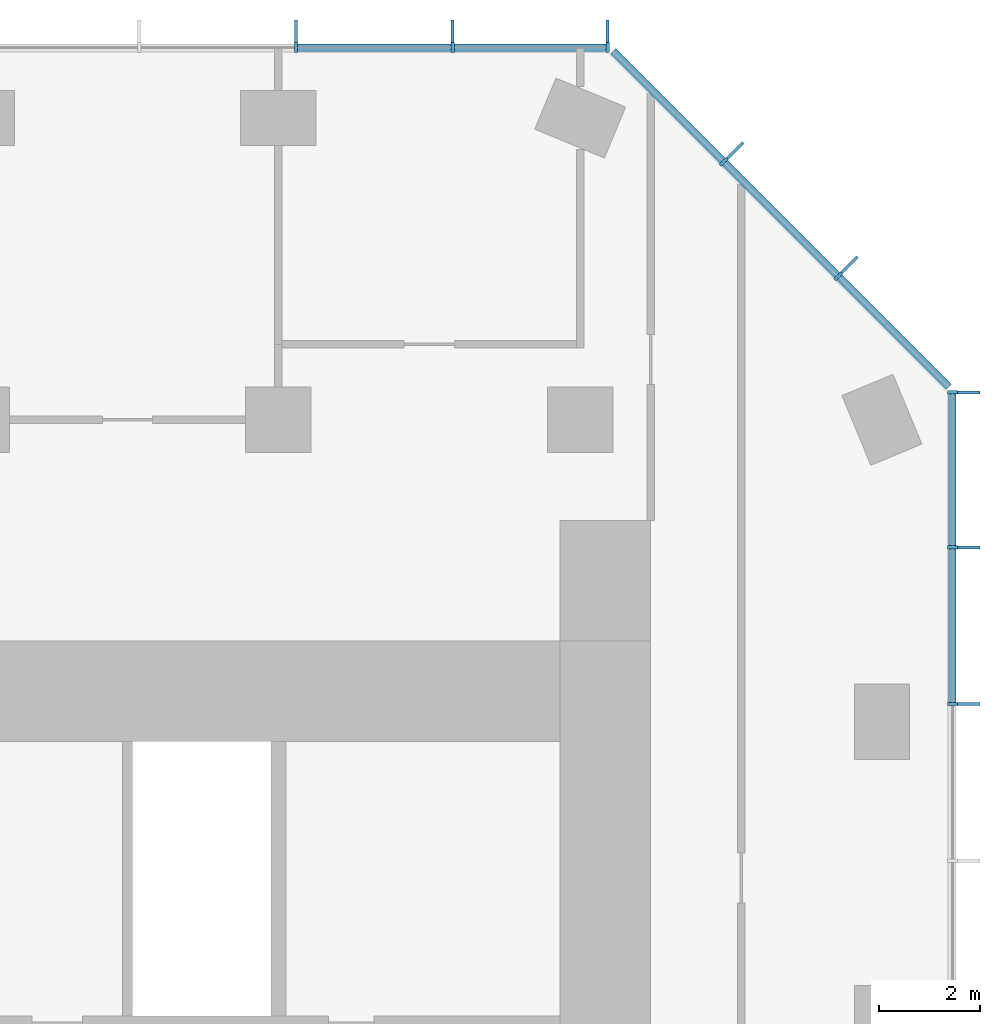
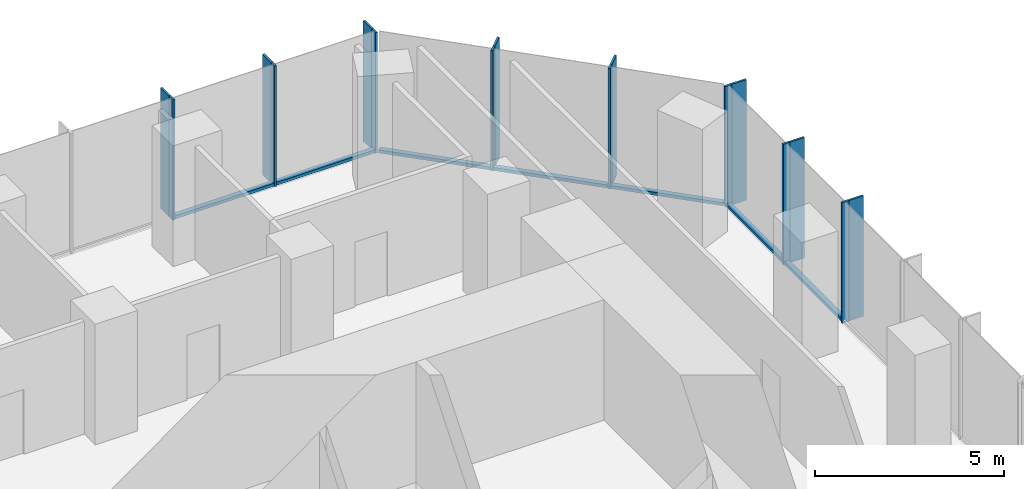
# One storey, part 6 of 11: 23 members, 3 elements without a shape of their own.
"""IFC4 building model written with IfcOpenShell, lengths in metres."""

from ifc_helpers import new_model, si_unit, direction, frame, origin, origin_2d, place, context, subcontext, project, spatial, rectangle, extrude, material, layer, layer_set, material_profile, profile_set, type_object, element, aggregate, save


model = new_model("IFC4")

# Units and contexts
model_context = context("Model", 3, precision=1e-05, world=origin(), true_north=direction((0.0, 1.0)))
body_context = subcontext(model_context, "Body", "Model", "MODEL_VIEW")
ifc_project = project(units=[si_unit("LENGTHUNIT", "METRE"), si_unit("AREAUNIT", "SQUARE_METRE"), si_unit("VOLUMEUNIT", "CUBIC_METRE"), si_unit("PLANEANGLEUNIT", "RADIAN"), si_unit("MASSUNIT", "GRAM", prefix="KILO")], contexts=[model_context])

# Site, building, storey
site_placement = place(None, origin())
site = spatial("IfcSite", under=ifc_project, at=site_placement, CompositionType="ELEMENT")
building_placement = place(site_placement, origin())
building = spatial("IfcBuilding", under=site, at=building_placement, Name="Highveld Stack Headquarters", CompositionType="ELEMENT")
storey_placement = place(building_placement, frame((0.0, 0.0, 220.10009765625)))
storey = spatial("IfcBuildingStorey", under=building, at=storey_placement, Name="L54", CompositionType="ELEMENT", Elevation=220.10009765625)

# Curtain wall, members
ifc_material_1 = material(Name="Aluminium bronze anodised", Category="aluminium")
ifc_layer_1 = layer(ifc_material_1, 0.199951171875)
ifc_layer_set_1 = layer_set([ifc_layer_1], Name="Aluminium bronze anodised")
curtain_wall_type_1 = type_object("IfcCurtainWallType", Name="CW1 TOWER UNITISED CURTAIN WALL", PredefinedType="NOTDEFINED", material=ifc_layer_set_1)
curtain_wall_1_placement = place(storey_placement, origin())
curtain_wall_1 = element("IfcCurtainWall", 1, at=curtain_wall_1_placement, inside=storey, type_object=curtain_wall_type_1, Name="Curtain wall CW1 L54 E", PredefinedType="NOTDEFINED")
ifc_material_2 = material(Name="Aluminium bronze anodised", Category="aluminium")
ifc_material_profile_1 = material_profile(ifc_material_2, rectangle(XDim=0.449951171875, YDim=0.06005859375, at=origin_2d()), Name="FIN 450x60")
ifc_profile_set_1 = profile_set([ifc_material_profile_1], Name="Aluminium bronze anodised")
member_type_1 = type_object("IfcMemberType", Name="CW1 BRONZE FIN 450x60", PredefinedType="USERDEFINED", material=ifc_profile_set_1)
member_1_placement = place(storey_placement, frame((25.72509765625, 12.347900390625, 0.0), z_axis=(0.0, 0.0, 1.0), x_axis=(-1.0, 0.0, 0.0)))
member_1 = element("IfcMember", 2, at=member_1_placement, type_object=member_type_1, Name="CW1 fin L54 9", ObjectType="FIN", PredefinedType="USERDEFINED", context=body_context, shape_type="SweptSolid", body=[
    extrude(rectangle(XDim=0.449951171875, YDim=0.06005859375, at=origin_2d()), origin(), (0.0, 0.0, 1.0), 3.89990234375),
])
member_2_placement = place(storey_placement, frame((25.72509765625, 15.4638671875, 0.0), z_axis=(0.0, 0.0, 1.0), x_axis=(-1.0, 0.0, 0.0)))
member_2 = element("IfcMember", 3, at=member_2_placement, type_object=member_type_1, Name="CW1 fin L54 10", ObjectType="FIN", PredefinedType="USERDEFINED", context=body_context, shape_type="SweptSolid", body=[
    extrude(rectangle(XDim=0.449951171875, YDim=0.06005859375, at=origin_2d()), origin(), (0.0, 0.0, 1.0), 3.89990234375),
])
member_3_placement = place(storey_placement, frame((25.72509765625, 18.54736328125, 0.0), z_axis=(0.0, 0.0, 1.0), x_axis=(-1.0, 0.0, 0.0)))
member_3 = element("IfcMember", 4, at=member_3_placement, type_object=member_type_1, Name="CW1 fin L54 11", ObjectType="FIN", PredefinedType="USERDEFINED", context=body_context, shape_type="SweptSolid", body=[
    extrude(rectangle(XDim=0.449951171875, YDim=0.06005859375, at=origin_2d()), origin(), (0.0, 0.0, 1.0), 3.89990234375),
])

curtain_wall_2_placement = place(storey_placement, origin())
curtain_wall_2 = element("IfcCurtainWall", 5, at=curtain_wall_2_placement, inside=storey, type_object=curtain_wall_type_1, Name="Curtain wall CW1 L54 N", PredefinedType="NOTDEFINED")
member_4_placement = place(storey_placement, frame((18.54736328125, 25.72509765625, 0.0), z_axis=(0.0, 0.0, 1.0), x_axis=(0.0, -1.0, 0.0)))
member_4 = element("IfcMember", 6, at=member_4_placement, type_object=member_type_1, Name="CW1 fin L54 1", ObjectType="FIN", PredefinedType="USERDEFINED", context=body_context, shape_type="SweptSolid", body=[
    extrude(rectangle(XDim=0.449951171875, YDim=0.06005859375, at=origin_2d()), origin(), (0.0, 0.0, 1.0), 3.89990234375),
])
member_5_placement = place(storey_placement, frame((15.4638671875, 25.72509765625, 0.0), z_axis=(0.0, 0.0, 1.0), x_axis=(0.0, -1.0, 0.0)))
member_5 = element("IfcMember", 7, at=member_5_placement, type_object=member_type_1, Name="CW1 fin L54 2", ObjectType="FIN", PredefinedType="USERDEFINED", context=body_context, shape_type="SweptSolid", body=[
    extrude(rectangle(XDim=0.449951171875, YDim=0.06005859375, at=origin_2d()), origin(), (0.0, 0.0, 1.0), 3.89990234375),
])
member_6_placement = place(storey_placement, frame((12.347900390625, 25.72509765625, 0.0), z_axis=(0.0, 0.0, 1.0), x_axis=(0.0, -1.0, 0.0)))
member_6 = element("IfcMember", 8, at=member_6_placement, type_object=member_type_1, Name="CW1 fin L54 3", ObjectType="FIN", PredefinedType="USERDEFINED", context=body_context, shape_type="SweptSolid", body=[
    extrude(rectangle(XDim=0.449951171875, YDim=0.06005859375, at=origin_2d()), origin(), (0.0, 0.0, 1.0), 3.89990234375),
])

# Member
ifc_material_3 = material(Name="Aluminium bronze anodised", Category="aluminium")
ifc_material_profile_2 = material_profile(ifc_material_3, rectangle(XDim=0.199951171875, YDim=0.06494140625, at=origin_2d()), Name="CW1 MULLION 65x200")
ifc_profile_set_2 = profile_set([ifc_material_profile_2], Name="Aluminium bronze anodised")
member_type_2 = type_object("IfcMemberType", Name="CW1 MULLION 65x200", PredefinedType="MULLION", material=ifc_profile_set_2)
member_7_placement = place(storey_placement, frame((25.39990234375, 12.347900390625, 0.0), z_axis=(0.0, 0.0, 1.0), x_axis=(-1.0, 0.0, 0.0)))
member_7 = element("IfcMember", 9, at=member_7_placement, type_object=member_type_2, Name="CW1 mullion L54 9", PredefinedType="MULLION", context=body_context, shape_type="SweptSolid", body=[
    extrude(rectangle(XDim=0.199951171875, YDim=0.06494140625, at=origin_2d()), origin(), (0.0, 0.0, 1.0), 3.89990234375),
])

member_8_placement = place(storey_placement, frame((25.39990234375, 15.4638671875, 0.0), z_axis=(0.0, 0.0, 1.0), x_axis=(-1.0, 0.0, 0.0)))
member_8 = element("IfcMember", 10, at=member_8_placement, type_object=member_type_2, Name="CW1 mullion L54 10", PredefinedType="MULLION", context=body_context, shape_type="SweptSolid", body=[
    extrude(rectangle(XDim=0.199951171875, YDim=0.06494140625, at=origin_2d()), origin(), (0.0, 0.0, 1.0), 3.89990234375),
])

member_9_placement = place(storey_placement, frame((25.39990234375, 18.54736328125, 0.0), z_axis=(0.0, 0.0, 1.0), x_axis=(-1.0, 0.0, 0.0)))
member_9 = element("IfcMember", 11, at=member_9_placement, type_object=member_type_2, Name="CW1 mullion L54 11", PredefinedType="MULLION", context=body_context, shape_type="SweptSolid", body=[
    extrude(rectangle(XDim=0.199951171875, YDim=0.06494140625, at=origin_2d()), origin(), (0.0, 0.0, 1.0), 3.89990234375),
])

member_10_placement = place(storey_placement, frame((18.54736328125, 25.39990234375, 0.0), z_axis=(0.0, 0.0, 1.0), x_axis=(0.0, -1.0, 0.0)))
member_10 = element("IfcMember", 12, at=member_10_placement, type_object=member_type_2, Name="CW1 mullion L54 1", PredefinedType="MULLION", context=body_context, shape_type="SweptSolid", body=[
    extrude(rectangle(XDim=0.199951171875, YDim=0.06494140625, at=origin_2d()), origin(), (0.0, 0.0, 1.0), 3.89990234375),
])

member_11_placement = place(storey_placement, frame((15.4638671875, 25.39990234375, 0.0), z_axis=(0.0, 0.0, 1.0), x_axis=(0.0, -1.0, 0.0)))
member_11 = element("IfcMember", 13, at=member_11_placement, type_object=member_type_2, Name="CW1 mullion L54 2", PredefinedType="MULLION", context=body_context, shape_type="SweptSolid", body=[
    extrude(rectangle(XDim=0.199951171875, YDim=0.06494140625, at=origin_2d()), origin(), (0.0, 0.0, 1.0), 3.89990234375),
])

member_12_placement = place(storey_placement, frame((12.347900390625, 25.39990234375, 0.0), z_axis=(0.0, 0.0, 1.0), x_axis=(0.0, -1.0, 0.0)))
member_12 = element("IfcMember", 14, at=member_12_placement, type_object=member_type_2, Name="CW1 mullion L54 3", PredefinedType="MULLION", context=body_context, shape_type="SweptSolid", body=[
    extrude(rectangle(XDim=0.199951171875, YDim=0.06494140625, at=origin_2d()), origin(), (0.0, 0.0, 1.0), 3.89990234375),
])

ifc_material_4 = material(Name="Aluminium bronze anodised", Category="aluminium")
ifc_material_profile_3 = material_profile(ifc_material_4, rectangle(XDim=0.14990234375, YDim=0.10009765625, at=origin_2d()), Name="CW1 TRANSOM 150x100")
ifc_profile_set_3 = profile_set([ifc_material_profile_3], Name="Aluminium bronze anodised")
member_type_3 = type_object("IfcMemberType", Name="CW1 STACK TRANSOM 150x100", PredefinedType="USERDEFINED", material=ifc_profile_set_3)
member_13_placement = place(storey_placement, frame((25.39990234375, 12.38037109375, 0.0498046875), z_axis=(0.0, 1.0, 0.0), x_axis=(-1.0, 0.0, 0.0)))
member_13 = element("IfcMember", 15, at=member_13_placement, type_object=member_type_3, Name="CW1 transom L54 9.1", ObjectType="TRANSOM", PredefinedType="USERDEFINED", context=body_context, shape_type="SweptSolid", body=[
    extrude(rectangle(XDim=0.14990234375, YDim=0.10009765625, at=origin_2d()), origin(), (0.0, 0.0, 1.0), 3.051025390625),
])

member_14_placement = place(storey_placement, frame((25.39990234375, 15.496337890625, 0.0498046875), z_axis=(0.0, 1.0, 0.0), x_axis=(-1.0, 0.0, 0.0)))
member_14 = element("IfcMember", 16, at=member_14_placement, type_object=member_type_3, Name="CW1 transom L54 10.1", ObjectType="TRANSOM", PredefinedType="USERDEFINED", context=body_context, shape_type="SweptSolid", body=[
    extrude(rectangle(XDim=0.14990234375, YDim=0.10009765625, at=origin_2d()), origin(), (0.0, 0.0, 1.0), 3.0185546875),
])

aggregate(curtain_wall_1, [member_7, member_1, member_8, member_2, member_9, member_3, member_13, member_14])

member_15_placement = place(storey_placement, frame((18.514892578125, 25.39990234375, 0.0498046875), z_axis=(-1.0, 0.0, 0.0), x_axis=(0.0, -1.0, 0.0)))
member_15 = element("IfcMember", 17, at=member_15_placement, type_object=member_type_3, Name="CW1 transom L54 1.1", ObjectType="TRANSOM", PredefinedType="USERDEFINED", context=body_context, shape_type="SweptSolid", body=[
    extrude(rectangle(XDim=0.14990234375, YDim=0.10009765625, at=origin_2d()), origin(), (0.0, 0.0, 1.0), 3.0185546875),
])

member_16_placement = place(storey_placement, frame((15.431396484375, 25.39990234375, 0.0498046875), z_axis=(-1.0, 0.0, 0.0), x_axis=(0.0, -1.0, 0.0)))
member_16 = element("IfcMember", 18, at=member_16_placement, type_object=member_type_3, Name="CW1 transom L54 2.1", ObjectType="TRANSOM", PredefinedType="USERDEFINED", context=body_context, shape_type="SweptSolid", body=[
    extrude(rectangle(XDim=0.14990234375, YDim=0.10009765625, at=origin_2d()), origin(), (0.0, 0.0, 1.0), 3.051025390625),
])

aggregate(curtain_wall_2, [member_10, member_4, member_11, member_5, member_12, member_6, member_15, member_16])

# Curtain wall, members
ifc_material_5 = material(Name="Aluminium bronze anodised", Category="aluminium")
ifc_layer_2 = layer(ifc_material_5, 0.199951171875)
ifc_layer_set_2 = layer_set([ifc_layer_2], Name="Aluminium bronze anodised")
curtain_wall_type_2 = type_object("IfcCurtainWallType", Name="CW2 TOWER CHAMFER UNITISED CURTAIN WALL", PredefinedType="NOTDEFINED", material=ifc_layer_set_2)
curtain_wall_3_placement = place(storey_placement, origin())
curtain_wall_3 = element("IfcCurtainWall", 19, at=curtain_wall_3_placement, inside=storey, type_object=curtain_wall_type_2, Name="Curtain wall CW2 L54 NE", PredefinedType="NOTDEFINED")
ifc_material_6 = material(Name="Aluminium bronze anodised", Category="aluminium")
ifc_material_profile_4 = material_profile(ifc_material_6, rectangle(XDim=0.449951171875, YDim=0.06005859375, at=origin_2d()), Name="FIN 450x60")
ifc_profile_set_4 = profile_set([ifc_material_profile_4], Name="Aluminium bronze anodised")
member_type_4 = type_object("IfcMemberType", Name="CW2 BRONZE FIN 450x60", PredefinedType="USERDEFINED", material=ifc_profile_set_4)
member_17_placement = place(storey_placement, frame((23.3564453125, 21.0830078125, 0.0), z_axis=(0.0, 0.0, 1.0), x_axis=(-0.707106781187, -0.707106781187, 0.0)))
member_17 = element("IfcMember", 20, at=member_17_placement, type_object=member_type_4, Name="CW2 fin L54 1", ObjectType="FIN", PredefinedType="USERDEFINED", context=body_context, shape_type="SweptSolid", body=[
    extrude(rectangle(XDim=0.449951171875, YDim=0.06005859375, at=origin_2d()), origin(), (0.0, 0.0, 1.0), 3.89990234375),
])
member_18_placement = place(storey_placement, frame((21.0830078125, 23.3564453125, 0.0), z_axis=(0.0, 0.0, 1.0), x_axis=(-0.707106781187, -0.707106781187, 0.0)))
member_18 = element("IfcMember", 21, at=member_18_placement, type_object=member_type_4, Name="CW2 fin L54 2", ObjectType="FIN", PredefinedType="USERDEFINED", context=body_context, shape_type="SweptSolid", body=[
    extrude(rectangle(XDim=0.449951171875, YDim=0.06005859375, at=origin_2d()), origin(), (0.0, 0.0, 1.0), 3.89990234375),
])
ifc_material_7 = material(Name="Aluminium bronze anodised", Category="aluminium")
ifc_material_profile_5 = material_profile(ifc_material_7, rectangle(XDim=0.199951171875, YDim=0.06494140625, at=origin_2d()), Name="CW2 MULLION 65x200")
ifc_profile_set_5 = profile_set([ifc_material_profile_5], Name="Aluminium bronze anodised")
member_type_5 = type_object("IfcMemberType", Name="CW2 MULLION 65x200", PredefinedType="MULLION", material=ifc_profile_set_5)
member_19_placement = place(storey_placement, frame((23.126708984375, 20.853271484375, 0.0), z_axis=(0.0, 0.0, 1.0), x_axis=(-0.707106781187, -0.707106781187, 0.0)))
member_19 = element("IfcMember", 22, at=member_19_placement, type_object=member_type_5, Name="CW2 mullion L54 1", PredefinedType="MULLION", context=body_context, shape_type="SweptSolid", body=[
    extrude(rectangle(XDim=0.199951171875, YDim=0.06494140625, at=origin_2d()), origin(), (0.0, 0.0, 1.0), 3.89990234375),
])
member_20_placement = place(storey_placement, frame((20.853271484375, 23.126708984375, 0.0), z_axis=(0.0, 0.0, 1.0), x_axis=(-0.707106781187, -0.707106781187, 0.0)))
member_20 = element("IfcMember", 23, at=member_20_placement, type_object=member_type_5, Name="CW2 mullion L54 2", PredefinedType="MULLION", context=body_context, shape_type="SweptSolid", body=[
    extrude(rectangle(XDim=0.199951171875, YDim=0.06494140625, at=origin_2d()), origin(), (0.0, 0.0, 1.0), 3.89990234375),
])
ifc_material_8 = material(Name="Aluminium bronze anodised", Category="aluminium")
ifc_material_profile_6 = material_profile(ifc_material_8, rectangle(XDim=0.14990234375, YDim=0.10009765625, at=origin_2d()), Name="CW2 TRANSOM 150x100")
ifc_profile_set_6 = profile_set([ifc_material_profile_6], Name="Aluminium bronze anodised")
member_type_6 = type_object("IfcMemberType", Name="CW2 STACK TRANSOM 150x100", PredefinedType="USERDEFINED", material=ifc_profile_set_6)
member_21_placement = place(storey_placement, frame((25.329345703125, 18.650634765625, 0.0498046875), z_axis=(-0.707106781187, 0.707106781187, 0.0), x_axis=(-0.707106781187, -0.707106781187, 0.0)))
member_21 = element("IfcMember", 24, at=member_21_placement, type_object=member_type_6, Name="CW2 transom L54 1.1", ObjectType="TRANSOM", PredefinedType="USERDEFINED", context=body_context, shape_type="SweptSolid", body=[
    extrude(rectangle(XDim=0.14990234375, YDim=0.10009765625, at=origin_2d()), origin(), (0.0, 0.0, 1.0), 3.08251953125),
])
member_22_placement = place(storey_placement, frame((23.103759765625, 20.876220703125, 0.0498046875), z_axis=(-0.707106781187, 0.707106781187, 0.0), x_axis=(-0.707106781187, -0.707106781187, 0.0)))
member_22 = element("IfcMember", 25, at=member_22_placement, type_object=member_type_6, Name="CW2 transom L54 2.1", ObjectType="TRANSOM", PredefinedType="USERDEFINED", context=body_context, shape_type="SweptSolid", body=[
    extrude(rectangle(XDim=0.14990234375, YDim=0.10009765625, at=origin_2d()), origin(), (0.0, 0.0, 1.0), 3.150146484375),
])
member_23_placement = place(storey_placement, frame((20.830322265625, 23.149658203125, 0.0498046875), z_axis=(-0.707106781187, 0.707106781187, 0.0), x_axis=(-0.707106781187, -0.707106781187, 0.0)))
member_23 = element("IfcMember", 26, at=member_23_placement, type_object=member_type_6, Name="CW2 transom L54 3.1", ObjectType="TRANSOM", PredefinedType="USERDEFINED", context=body_context, shape_type="SweptSolid", body=[
    extrude(rectangle(XDim=0.14990234375, YDim=0.10009765625, at=origin_2d()), origin(), (0.0, 0.0, 1.0), 3.08251953125),
])
aggregate(curtain_wall_3, [member_19, member_17, member_20, member_18, member_21, member_22, member_23])

save(model, "model.ifc")
